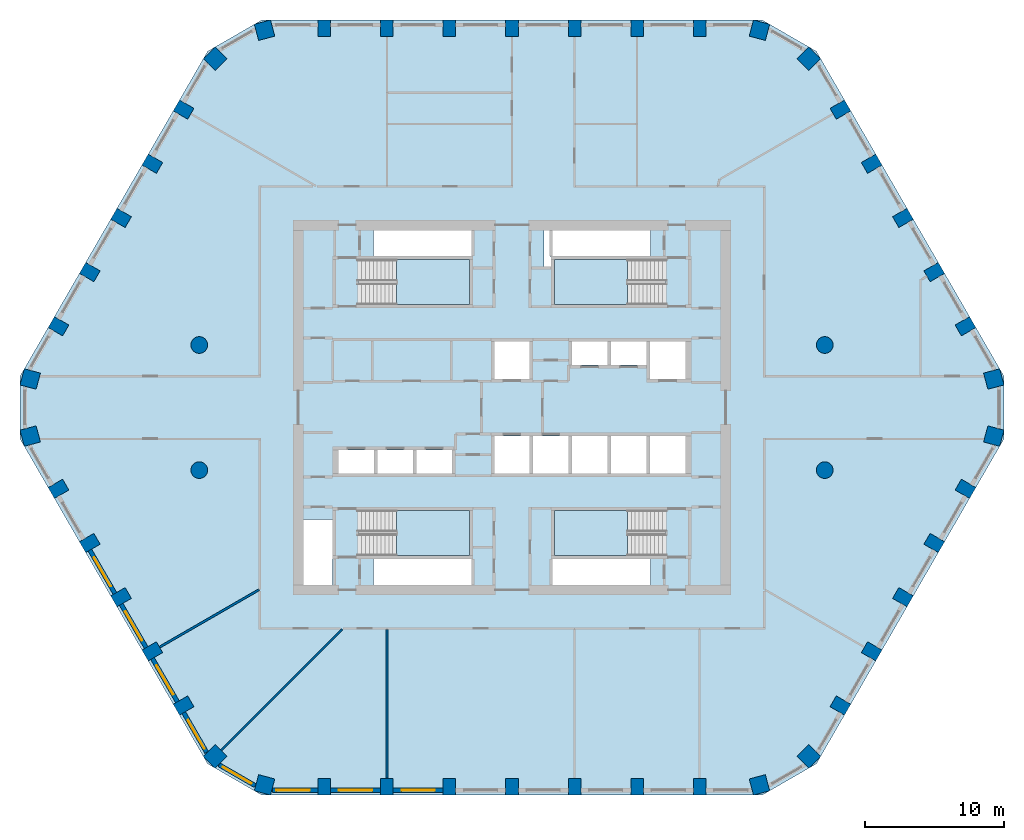
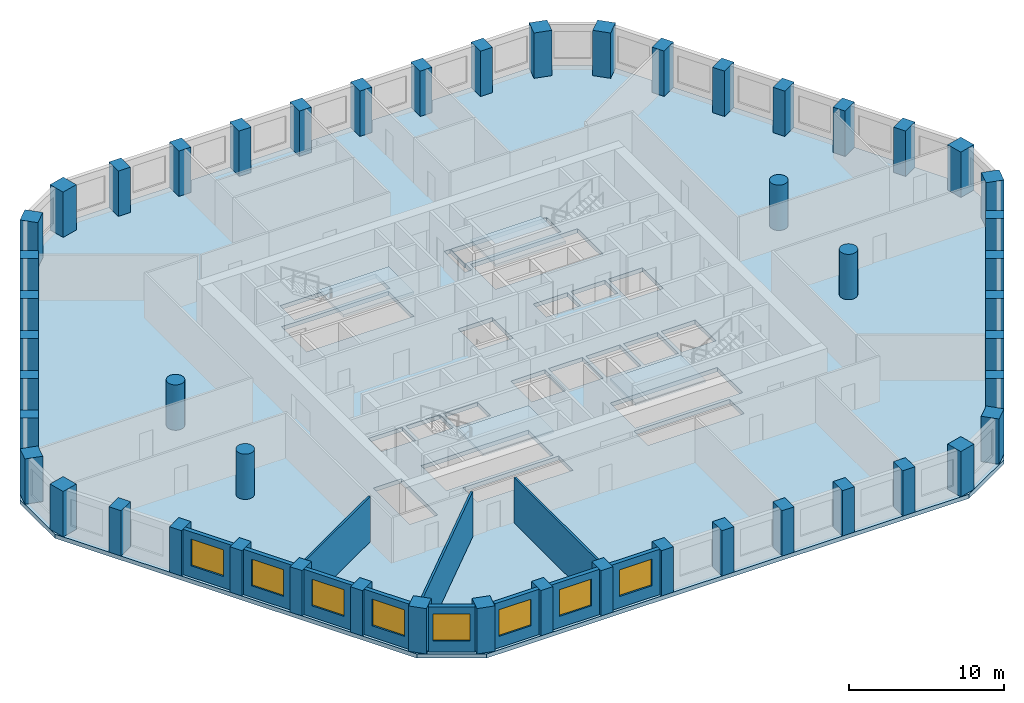
# One storey, part 1 of 9: 50 columns, 11 walls, 8 windows, 5 slabs, 8 openings, 4 elements without a shape of their own.
"""IFC4 building model written with IfcOpenShell, lengths in metres."""

from ifc_helpers import new_model, si_unit, direction, frame, frame_2d, origin, origin_2d, place, context, subcontext, project, spatial, polyline, rectangle, circle, outline, extrude, material, layer, layer_set, material_profile, profile_set, type_object, element, fill, aggregate, save


model = new_model("IFC4")

# Units and contexts
model_context = context("Model", 3, precision=1e-05, world=origin(), true_north=direction((0.0, 1.0)))
body_context = subcontext(model_context, "Body", "Model", "MODEL_VIEW")
ifc_project = project(units=[si_unit("LENGTHUNIT", "METRE"), si_unit("AREAUNIT", "SQUARE_METRE"), si_unit("VOLUMEUNIT", "CUBIC_METRE"), si_unit("PLANEANGLEUNIT", "RADIAN"), si_unit("MASSUNIT", "GRAM", prefix="KILO")], contexts=[model_context])

# Site, building, storey
site_placement = place(None, origin())
site = spatial("IfcSite", under=ifc_project, at=site_placement, CompositionType="ELEMENT")
building_placement = place(site_placement, origin())
building = spatial("IfcBuilding", under=site, at=building_placement, Name="Dhurran Vertical Campus", CompositionType="ELEMENT")
storey_placement = place(building_placement, frame((0.0, 0.0, 159.89990234375)))
storey = spatial("IfcBuildingStorey", under=building, at=storey_placement, Name="L39", CompositionType="ELEMENT", Elevation=159.89990234375)

# Columns
ifc_material_1 = material(Name="Concrete C60/75", Category="concrete")
ifc_material_profile_1 = material_profile(ifc_material_1, rectangle(XDim=1.199951171875, YDim=1.199951171875, at=origin_2d()), Name="RC 1200x1200")
ifc_profile_set_1 = profile_set([ifc_material_profile_1], Name="Concrete C60/75")
column_type_1 = type_object("IfcColumnType", Name="FR COL RC 1200x1200 C60/75", PredefinedType="COLUMN", material=ifc_profile_set_1)
for number, where, z_axis, x_axis, name in (
    (1, (-17.802978515625, -27.147705078125, 0.0), (0.0, 0.0, 1.0), (0.965925826289, -0.258819045103, 0.0), "Perimeter pier PP3.00"),
    (2, (17.802978515625, -27.147705078125, 0.0), (0.0, 0.0, 1.0), (0.965925826289, 0.258819045103, 0.0), "Perimeter pier PP3.08"),
    (3, (21.359130859375, -25.0947265625, 0.0), (0.0, 0.0, 1.0), (0.707106781187, 0.707106781187, 0.0), "Perimeter pier PP3.09"),
    (4, (34.662353515625, -2.052978515625, 0.0), (0.0, 0.0, 1.0), (0.258819045103, 0.965925826289, 0.0), "Perimeter pier PP3.15"),
    (5, (34.662353515625, 2.052978515625, 0.0), (0.0, 0.0, 1.0), (-0.258819045103, 0.965925826289, 0.0), "Perimeter pier PP3.16"),
    (6, (21.359130859375, 25.0947265625, 0.0), (0.0, 0.0, 1.0), (-0.707106781187, 0.707106781187, 0.0), "Perimeter pier PP3.22"),
    (7, (17.802978515625, 27.147705078125, 0.0), (0.0, 0.0, 1.0), (-0.965925826289, 0.258819045103, 0.0), "Perimeter pier PP3.23"),
    (8, (-17.802978515625, 27.147705078125, 0.0), (0.0, 0.0, 1.0), (-0.965925826289, -0.258819045103, 0.0), "Perimeter pier PP3.31"),
    (9, (-21.359130859375, 25.0947265625, 0.0), (0.0, 0.0, 1.0), (-0.707106781187, -0.707106781187, 0.0), "Perimeter pier PP3.32"),
    (10, (-34.662353515625, 2.052978515625, 0.0), (0.0, 0.0, 1.0), (-0.258819045103, -0.965925826289, 0.0), "Perimeter pier PP3.38"),
    (11, (-34.662353515625, -2.052978515625, 0.0), (0.0, 0.0, 1.0), (0.258819045103, -0.965925826289, 0.0), "Perimeter pier PP3.39"),
    (12, (-21.359130859375, -25.0947265625, 0.0), (0.0, 0.0, 1.0), (0.707106781187, -0.707106781187, 0.0), "Perimeter pier PP3.45"),
):
    element("IfcColumn", number, at=place(storey_placement, frame(where, z_axis=z_axis, x_axis=x_axis)), inside=storey, type_object=column_type_1, Name=name, PredefinedType="COLUMN", context=body_context, shape_type="SweptSolid", body=[
        extrude(rectangle(XDim=1.199951171875, YDim=1.199951171875, at=origin_2d()), origin(), (0.0, 0.0, 1.0), 3.5751953125),
    ])
ifc_material_2 = material(Name="Concrete C60/75", Category="concrete")
ifc_material_profile_2 = material_profile(ifc_material_2, rectangle(XDim=0.89990234375, YDim=1.199951171875, at=origin_2d()), Name="RC 900x1200")
ifc_profile_set_2 = profile_set([ifc_material_profile_2], Name="Concrete C60/75")
column_type_2 = type_object("IfcColumnType", Name="FR COL RC 900x1200 C60/75", PredefinedType="COLUMN", material=ifc_profile_set_2)
for number, where, z_axis, x_axis, name in (
    (13, (-13.5, -27.28271484375, 0.0), (0.0, 0.0, 1.0), (1.0, 0.0, 0.0), "Perimeter pier PP3.01"),
    (14, (-9.0, -27.28271484375, 0.0), (0.0, 0.0, 1.0), (1.0, 0.0, 0.0), "Perimeter pier PP3.02"),
    (15, (-4.5, -27.28271484375, 0.0), (0.0, 0.0, 1.0), (1.0, 0.0, 0.0), "Perimeter pier PP3.03"),
    (16, (0.0, -27.28271484375, 0.0), (0.0, 0.0, 1.0), (1.0, 0.0, 0.0), "Perimeter pier PP3.04"),
    (17, (4.5, -27.28271484375, 0.0), (0.0, 0.0, 1.0), (1.0, 0.0, 0.0), "Perimeter pier PP3.05"),
    (18, (9.0, -27.28271484375, 0.0), (0.0, 0.0, 1.0), (1.0, 0.0, 0.0), "Perimeter pier PP3.06"),
    (19, (13.5, -27.28271484375, 0.0), (0.0, 0.0, 1.0), (1.0, 0.0, 0.0), "Perimeter pier PP3.07"),
    (20, (23.62744140625, -21.435546875, 0.0), (0.0, 0.0, 1.0), (0.5, 0.866025403784, 0.0), "Perimeter pier PP3.10"),
    (21, (25.87744140625, -17.53857421875, 0.0), (0.0, 0.0, 1.0), (0.5, 0.866025403784, 0.0), "Perimeter pier PP3.11"),
    (22, (28.12744140625, -13.641357421875, 0.0), (0.0, 0.0, 1.0), (0.5, 0.866025403784, 0.0), "Perimeter pier PP3.12"),
    (23, (30.37744140625, -9.744140625, 0.0), (0.0, 0.0, 1.0), (0.5, 0.866025403784, 0.0), "Perimeter pier PP3.13"),
    (24, (32.62744140625, -5.84716796875, 0.0), (0.0, 0.0, 1.0), (0.5, 0.866025403784, 0.0), "Perimeter pier PP3.14"),
    (25, (32.62744140625, 5.84716796875, 0.0), (0.0, 0.0, 1.0), (-0.5, 0.866025403784, 0.0), "Perimeter pier PP3.17"),
    (26, (30.37744140625, 9.744140625, 0.0), (0.0, 0.0, 1.0), (-0.5, 0.866025403784, 0.0), "Perimeter pier PP3.18"),
    (27, (28.12744140625, 13.641357421875, 0.0), (0.0, 0.0, 1.0), (-0.5, 0.866025403784, 0.0), "Perimeter pier PP3.19"),
    (28, (25.87744140625, 17.53857421875, 0.0), (0.0, 0.0, 1.0), (-0.5, 0.866025403784, 0.0), "Perimeter pier PP3.20"),
    (29, (23.62744140625, 21.435546875, 0.0), (0.0, 0.0, 1.0), (-0.5, 0.866025403784, 0.0), "Perimeter pier PP3.21"),
    (30, (13.5, 27.28271484375, 0.0), (0.0, 0.0, 1.0), (-1.0, 0.0, 0.0), "Perimeter pier PP3.24"),
    (31, (9.0, 27.28271484375, 0.0), (0.0, 0.0, 1.0), (-1.0, 0.0, 0.0), "Perimeter pier PP3.25"),
    (32, (4.5, 27.28271484375, 0.0), (0.0, 0.0, 1.0), (-1.0, 0.0, 0.0), "Perimeter pier PP3.26"),
    (33, (0.0, 27.28271484375, 0.0), (0.0, 0.0, 1.0), (-1.0, 0.0, 0.0), "Perimeter pier PP3.27"),
    (34, (-4.5, 27.28271484375, 0.0), (0.0, 0.0, 1.0), (-1.0, 0.0, 0.0), "Perimeter pier PP3.28"),
    (35, (-9.0, 27.28271484375, 0.0), (0.0, 0.0, 1.0), (-1.0, 0.0, 0.0), "Perimeter pier PP3.29"),
    (36, (-13.5, 27.28271484375, 0.0), (0.0, 0.0, 1.0), (-1.0, 0.0, 0.0), "Perimeter pier PP3.30"),
    (37, (-23.62744140625, 21.435546875, 0.0), (0.0, 0.0, 1.0), (-0.5, -0.866025403784, 0.0), "Perimeter pier PP3.33"),
    (38, (-25.87744140625, 17.53857421875, 0.0), (0.0, 0.0, 1.0), (-0.5, -0.866025403784, 0.0), "Perimeter pier PP3.34"),
    (39, (-28.12744140625, 13.641357421875, 0.0), (0.0, 0.0, 1.0), (-0.5, -0.866025403784, 0.0), "Perimeter pier PP3.35"),
    (40, (-30.37744140625, 9.744140625, 0.0), (0.0, 0.0, 1.0), (-0.5, -0.866025403784, 0.0), "Perimeter pier PP3.36"),
    (41, (-32.62744140625, 5.84716796875, 0.0), (0.0, 0.0, 1.0), (-0.5, -0.866025403784, 0.0), "Perimeter pier PP3.37"),
    (42, (-32.62744140625, -5.84716796875, 0.0), (0.0, 0.0, 1.0), (0.5, -0.866025403784, 0.0), "Perimeter pier PP3.40"),
    (43, (-30.37744140625, -9.744140625, 0.0), (0.0, 0.0, 1.0), (0.5, -0.866025403784, 0.0), "Perimeter pier PP3.41"),
    (44, (-28.12744140625, -13.641357421875, 0.0), (0.0, 0.0, 1.0), (0.5, -0.866025403784, 0.0), "Perimeter pier PP3.42"),
    (45, (-25.87744140625, -17.53857421875, 0.0), (0.0, 0.0, 1.0), (0.5, -0.866025403784, 0.0), "Perimeter pier PP3.43"),
    (46, (-23.62744140625, -21.435546875, 0.0), (0.0, 0.0, 1.0), (0.5, -0.866025403784, 0.0), "Perimeter pier PP3.44"),
):
    element("IfcColumn", number, at=place(storey_placement, frame(where, z_axis=z_axis, x_axis=x_axis)), inside=storey, type_object=column_type_2, Name=name, PredefinedType="COLUMN", context=body_context, shape_type="SweptSolid", body=[
        extrude(rectangle(XDim=0.89990234375, YDim=1.199951171875, at=origin_2d()), origin(), (0.0, 0.0, 1.0), 3.5751953125),
    ])
ifc_material_3 = material(Name="Concrete C60/75", Category="concrete")
ifc_material_profile_3 = material_profile(ifc_material_3, circle(Radius=0.60009765625, at=origin_2d()), Name="RCC D1200")
ifc_profile_set_3 = profile_set([ifc_material_profile_3], Name="Concrete C60/75")
column_type_3 = type_object("IfcColumnType", Name="FR COL RCC D1200 C60/75", PredefinedType="COLUMN", material=ifc_profile_set_3)
for number, where, z_axis, x_axis, name in (
    (47, (-22.5, -4.5, 0.0), (0.0, 0.0, 1.0), (1.0, 0.0, 0.0), "Inner column IC3-D5"),
    (48, (-22.5, 4.5, 0.0), (0.0, 0.0, 1.0), (1.0, 0.0, 0.0), "Inner column IC3-D6"),
    (49, (22.5, -4.5, 0.0), (0.0, 0.0, 1.0), (1.0, 0.0, 0.0), "Inner column IC3-J5"),
    (50, (22.5, 4.5, 0.0), (0.0, 0.0, 1.0), (1.0, 0.0, 0.0), "Inner column IC3-J6"),
):
    element("IfcColumn", number, at=place(storey_placement, frame(where, z_axis=z_axis, x_axis=x_axis)), inside=storey, type_object=column_type_3, Name=name, PredefinedType="COLUMN", context=body_context, shape_type="SweptSolid", body=[
        extrude(circle(Radius=0.60009765625, at=origin_2d()), origin(), (0.0, 0.0, 1.0), 3.5751953125),
    ])

# Slab
ifc_material_4 = material(Name="Concrete C40/50", Category="concrete")
ifc_layer_1 = layer(ifc_material_4, 0.324951171875)
ifc_layer_set_1 = layer_set([ifc_layer_1], Name="Concrete C40/50")
slab_type_1 = type_object("IfcSlabType", Name="FR POST-TENSIONED FLAT SLAB 325", PredefinedType="FLOOR", material=ifc_layer_set_1)
slab_1_placement = place(storey_placement, frame((0.0, 0.0, -0.324951171875)))
element("IfcSlab", 51, at=slab_1_placement, inside=storey, type_object=slab_type_1, Name="Floor slab L39", PredefinedType="FLOOR", context=body_context, shape_type="SweptSolid", body=[
    extrude(outline(polyline([(-18.0, -27.8828125), (18.0, -27.8828125), (21.897216796875, -25.6328125), (35.397216796875, -2.25), (35.397216796875, 2.25), (21.897216796875, 25.6328125), (18.0, 27.8828125), (-18.0, 27.8828125), (-21.897216796875, 25.6328125), (-35.397216796875, 2.25), (-35.397216796875, -2.25), (-21.897216796875, -25.6328125), (-18.0, -27.8828125)]), holes=[polyline([(-1.27490234375, 2.050048828125), (1.27490234375, 2.050048828125), (1.27490234375, 4.75), (-1.27490234375, 4.75), (-1.27490234375, 2.050048828125)]), polyline([(9.925048828125, 2.050048828125), (12.47509765625, 2.050048828125), (12.47509765625, 4.75), (9.925048828125, 4.75), (9.925048828125, 2.050048828125)]), polyline([(-1.27490234375, -4.75), (1.27490234375, -4.75), (1.27490234375, -2.050048828125), (-1.27490234375, -2.050048828125), (-1.27490234375, -4.75)]), polyline([(1.52490234375, -4.75), (4.074951171875, -4.75), (4.074951171875, -2.050048828125), (1.52490234375, -2.050048828125), (1.52490234375, -4.75)]), polyline([(4.324951171875, -4.75), (6.875, -4.75), (6.875, -2.050048828125), (4.324951171875, -2.050048828125), (4.324951171875, -4.75)]), polyline([(7.125, -4.75), (9.675048828125, -4.75), (9.675048828125, -2.050048828125), (7.125, -2.050048828125), (7.125, -4.75)]), polyline([(9.925048828125, -4.75), (12.47509765625, -4.75), (12.47509765625, -2.050048828125), (9.925048828125, -2.050048828125), (9.925048828125, -4.75)]), polyline([(4.324951171875, 3.050048828125), (6.875, 3.050048828125), (6.875, 4.75), (4.324951171875, 4.75), (4.324951171875, 3.050048828125)]), polyline([(7.125, 3.050048828125), (9.675048828125, 3.050048828125), (9.675048828125, 4.75), (7.125, 4.75), (7.125, 3.050048828125)]), polyline([(-12.47509765625, -4.75), (-9.925048828125, -4.75), (-9.925048828125, -3.050048828125), (-12.47509765625, -3.050048828125), (-12.47509765625, -4.75)]), polyline([(-9.675048828125, -4.75), (-7.125, -4.75), (-7.125, -3.050048828125), (-9.675048828125, -3.050048828125), (-9.675048828125, -4.75)]), polyline([(-6.875, -4.75), (-4.324951171875, -4.75), (-4.324951171875, -3.050048828125), (-6.875, -3.050048828125), (-6.875, -4.75)]), polyline([(-11.050048828125, 7.39990234375), (-3.050048828125, 7.39990234375), (-3.050048828125, 10.64990234375), (-11.050048828125, 10.64990234375), (-11.050048828125, 7.39990234375)]), polyline([(3.050048828125, 7.39990234375), (11.050048828125, 7.39990234375), (11.050048828125, 10.64990234375), (3.050048828125, 10.64990234375), (3.050048828125, 7.39990234375)]), polyline([(-11.050048828125, -10.64990234375), (-3.050048828125, -10.64990234375), (-3.050048828125, -7.39990234375), (-11.050048828125, -7.39990234375), (-11.050048828125, -10.64990234375)]), polyline([(3.050048828125, -10.64990234375), (11.050048828125, -10.64990234375), (11.050048828125, -7.39990234375), (3.050048828125, -7.39990234375), (3.050048828125, -10.64990234375)]), polyline([(-9.949951171875, 10.89990234375), (-9.949951171875, 12.75), (-2.800048828125, 12.75), (-2.800048828125, 10.89990234375), (-9.949951171875, 10.89990234375)]), polyline([(9.949951171875, 12.75), (9.949951171875, 10.89990234375), (2.800048828125, 10.89990234375), (2.800048828125, 12.75), (9.949951171875, 12.75)]), polyline([(-9.949951171875, -12.75), (-9.949951171875, -10.89990234375), (-2.800048828125, -10.89990234375), (-2.800048828125, -12.75), (-9.949951171875, -12.75)]), polyline([(9.949951171875, -10.89990234375), (9.949951171875, -12.75), (2.800048828125, -12.75), (2.800048828125, -10.89990234375), (9.949951171875, -10.89990234375)]), polyline([(2.300048828125, 10.050048828125), (2.300048828125, 12.75), (2.75, 12.75), (2.75, 10.85009765625), (2.800048828125, 10.85009765625), (2.800048828125, 10.050048828125), (2.300048828125, 10.050048828125)]), polyline([(-15.0, -8.050048828125), (-12.89990234375, -8.050048828125), (-12.89990234375, -12.75), (-15.0, -12.75), (-15.0, -8.050048828125)])]), origin(), (0.0, 0.0, 1.0), 0.324951171875),
])

# Stair, slab
ifc_material_5 = material(Name="Concrete C40/50", Category="concrete")
stair_type = type_object("IfcStairType", Name="co-ST-CORE", PredefinedType="HALF_TURN_STAIR", material=ifc_material_5)
stair_1_placement = place(storey_placement, origin())
stair_1 = element("IfcStair", 52, at=stair_1_placement, inside=storey, type_object=stair_type, Name="L39 Protected exit stair ST1", PredefinedType="HALF_TURN_STAIR")
ifc_material_6 = material(Name="Concrete C40/50", Category="concrete")
ifc_layer_2 = layer(ifc_material_6, 0.199951171875)
ifc_layer_set_2 = layer_set([ifc_layer_2], Name="Concrete C40/50")
slab_type_2 = type_object("IfcSlabType", Name="co-SL-LANDING", PredefinedType="LANDING", material=ifc_layer_set_2)
slab_2_placement = place(storey_placement, frame((0.0, 0.0, 1.75)))
slab_2 = element("IfcSlab", 53, at=slab_2_placement, type_object=slab_type_2, Name="ST1 landing 1", PredefinedType="LANDING", context=body_context, shape_type="SweptSolid", body=[
    extrude(outline(polyline([(-8.300048828125, 7.39990234375), (-3.050048828125, 7.39990234375), (-3.050048828125, 10.64990234375), (-8.300048828125, 10.64990234375), (-8.300048828125, 7.39990234375)])), origin(), (0.0, 0.0, 1.0), 0.2001953125),
])
aggregate(stair_1, [slab_2])

stair_2_placement = place(storey_placement, origin())
stair_2 = element("IfcStair", 54, at=stair_2_placement, inside=storey, type_object=stair_type, Name="L39 Protected exit stair ST2", PredefinedType="HALF_TURN_STAIR")
slab_3_placement = place(storey_placement, frame((0.0, 0.0, 1.75)))
slab_3 = element("IfcSlab", 55, at=slab_3_placement, type_object=slab_type_2, Name="ST2 landing 1", PredefinedType="LANDING", context=body_context, shape_type="SweptSolid", body=[
    extrude(outline(polyline([(8.300048828125, 10.64990234375), (3.050048828125, 10.64990234375), (3.050048828125, 7.39990234375), (8.300048828125, 7.39990234375), (8.300048828125, 10.64990234375)])), origin(), (0.0, 0.0, 1.0), 0.2001953125),
])
aggregate(stair_2, [slab_3])

stair_3_placement = place(storey_placement, origin())
stair_3 = element("IfcStair", 56, at=stair_3_placement, inside=storey, type_object=stair_type, Name="L39 Protected exit stair ST3", PredefinedType="HALF_TURN_STAIR")
slab_4_placement = place(storey_placement, frame((0.0, 0.0, 1.75)))
slab_4 = element("IfcSlab", 57, at=slab_4_placement, type_object=slab_type_2, Name="ST3 landing 1", PredefinedType="LANDING", context=body_context, shape_type="SweptSolid", body=[
    extrude(outline(polyline([(-8.300048828125, -10.64990234375), (-3.050048828125, -10.64990234375), (-3.050048828125, -7.39990234375), (-8.300048828125, -7.39990234375), (-8.300048828125, -10.64990234375)])), origin(), (0.0, 0.0, 1.0), 0.2001953125),
])
aggregate(stair_3, [slab_4])

stair_4_placement = place(storey_placement, origin())
stair_4 = element("IfcStair", 58, at=stair_4_placement, inside=storey, type_object=stair_type, Name="L39 Protected exit stair ST4", PredefinedType="HALF_TURN_STAIR")
slab_5_placement = place(storey_placement, frame((0.0, 0.0, 1.75)))
slab_5 = element("IfcSlab", 59, at=slab_5_placement, type_object=slab_type_2, Name="ST4 landing 1", PredefinedType="LANDING", context=body_context, shape_type="SweptSolid", body=[
    extrude(outline(polyline([(8.300048828125, -7.39990234375), (3.050048828125, -7.39990234375), (3.050048828125, -10.64990234375), (8.300048828125, -10.64990234375), (8.300048828125, -7.39990234375)])), origin(), (0.0, 0.0, 1.0), 0.2001953125),
])
aggregate(stair_4, [slab_5])

# Wall, opening, window
ifc_material_7 = material(Name="Precast concrete C50/60", Category="concrete")
ifc_layer_3 = layer(ifc_material_7, 0.300048828125)
ifc_layer_set_3 = layer_set([ifc_layer_3], Name="Precast concrete C50/60")
wall_type_1 = type_object("IfcWallType", Name="Precast spandrel wall 300", PredefinedType="SOLIDWALL", material=ifc_layer_set_3)
wall_1_placement = place(storey_placement, frame((-17.24462890625, -27.53271484375, 0.0), z_axis=(0.0, 0.0, 1.0), x_axis=(1.0, 0.0, 0.0)))
wall_1 = element("IfcWall", 60, at=wall_1_placement, inside=storey, type_object=wall_type_1, Name="EW1 L39.00", PredefinedType="SOLIDWALL", context=body_context, shape_type="SweptSolid", body=[
    extrude(rectangle(XDim=3.294189453125, YDim=0.300048828125, at=frame_2d((1.64697265625, 0.0))), origin(), (0.0, 0.0, 1.0), 3.5751953125),
])
opening_1_placement = place(wall_1_placement, frame((0.294677734375, 0.0, 0.89990234375)))
opening_1 = element("IfcOpeningElement", 61, at=opening_1_placement, cuts=wall_1, Name="Opening WT1", PredefinedType="OPENING", context=body_context, shape_type="SweptSolid", body=[
    extrude(rectangle(XDim=2.39990234375, YDim=2.10009765625, at=frame_2d((1.199951171875, 1.050048828125))), frame((0.0, 0.159912109375, 0.0), z_axis=(0.0, -1.0, 0.0), x_axis=(1.0, 0.0, 0.0)), (0.0, 0.0, 1.0), 0.320068359375),
])
ifc_material_8 = material(Name="Aluminium frame with solar-control glass", Category="aluminium")
window_type = type_object("IfcWindowType", Name="Punched window 2400 x 2100", PartitioningType="SINGLE_PANEL", PredefinedType="WINDOW", material=ifc_material_8)
window_1_placement = place(opening_1_placement, origin())
window_1 = element("IfcWindow", 62, at=window_1_placement, inside=storey, type_object=window_type, Name="WT1 L39.00", OverallHeight=2.10009765625, OverallWidth=2.39990234375, PartitioningType="SINGLE_PANEL", PredefinedType="WINDOW", context=body_context, shape_type="SweptSolid", body=[
    extrude(rectangle(XDim=2.39990234375, YDim=2.10009765625, at=frame_2d((1.199951171875, 1.050048828125))), frame((0.0, 0.030029296875, 0.0), z_axis=(0.0, -1.0, 0.0), x_axis=(1.0, 0.0, 0.0)), (0.0, 0.0, 1.0), 0.06005859375),
])
fill(opening_1, window_1)

wall_2_placement = place(storey_placement, frame((-13.049560546875, -27.53271484375, 0.0), z_axis=(0.0, 0.0, 1.0), x_axis=(1.0, 0.0, 0.0)))
wall_2 = element("IfcWall", 63, at=wall_2_placement, inside=storey, type_object=wall_type_1, Name="EW1 L39.01", PredefinedType="SOLIDWALL", context=body_context, shape_type="SweptSolid", body=[
    extrude(rectangle(XDim=3.59912109375, YDim=0.300048828125, at=frame_2d((1.799560546875, 0.0))), origin(), (0.0, 0.0, 1.0), 3.5751953125),
])
opening_2_placement = place(wall_2_placement, frame((0.599609375, 0.0, 0.89990234375)))
opening_2 = element("IfcOpeningElement", 64, at=opening_2_placement, cuts=wall_2, Name="Opening WT1", PredefinedType="OPENING", context=body_context, shape_type="SweptSolid", body=[
    extrude(rectangle(XDim=2.39990234375, YDim=2.10009765625, at=frame_2d((1.199951171875, 1.050048828125))), frame((0.0, 0.159912109375, 0.0), z_axis=(0.0, -1.0, 0.0), x_axis=(1.0, 0.0, 0.0)), (0.0, 0.0, 1.0), 0.320068359375),
])
window_2_placement = place(opening_2_placement, origin())
window_2 = element("IfcWindow", 65, at=window_2_placement, inside=storey, type_object=window_type, Name="WT1 L39.01", OverallHeight=2.10009765625, OverallWidth=2.39990234375, PartitioningType="SINGLE_PANEL", PredefinedType="WINDOW", context=body_context, shape_type="SweptSolid", body=[
    extrude(rectangle(XDim=2.39990234375, YDim=2.10009765625, at=frame_2d((1.199951171875, 1.050048828125))), frame((0.0, 0.030029296875, 0.0), z_axis=(0.0, -1.0, 0.0), x_axis=(1.0, 0.0, 0.0)), (0.0, 0.0, 1.0), 0.06005859375),
])
fill(opening_2, window_2)

wall_3_placement = place(storey_placement, frame((-8.549560546875, -27.53271484375, 0.0), z_axis=(0.0, 0.0, 1.0), x_axis=(1.0, 0.0, 0.0)))
wall_3 = element("IfcWall", 66, at=wall_3_placement, inside=storey, type_object=wall_type_1, Name="EW1 L39.02", PredefinedType="SOLIDWALL", context=body_context, shape_type="SweptSolid", body=[
    extrude(rectangle(XDim=3.59912109375, YDim=0.300048828125, at=frame_2d((1.799560546875, 0.0))), origin(), (0.0, 0.0, 1.0), 3.5751953125),
])
opening_3_placement = place(wall_3_placement, frame((0.599609375, 0.0, 0.89990234375)))
opening_3 = element("IfcOpeningElement", 67, at=opening_3_placement, cuts=wall_3, Name="Opening WT1", PredefinedType="OPENING", context=body_context, shape_type="SweptSolid", body=[
    extrude(rectangle(XDim=2.39990234375, YDim=2.10009765625, at=frame_2d((1.199951171875, 1.050048828125))), frame((0.0, 0.159912109375, 0.0), z_axis=(0.0, -1.0, 0.0), x_axis=(1.0, 0.0, 0.0)), (0.0, 0.0, 1.0), 0.320068359375),
])
window_3_placement = place(opening_3_placement, origin())
window_3 = element("IfcWindow", 68, at=window_3_placement, inside=storey, type_object=window_type, Name="WT1 L39.02", OverallHeight=2.10009765625, OverallWidth=2.39990234375, PartitioningType="SINGLE_PANEL", PredefinedType="WINDOW", context=body_context, shape_type="SweptSolid", body=[
    extrude(rectangle(XDim=2.39990234375, YDim=2.10009765625, at=frame_2d((1.199951171875, 1.050048828125))), frame((0.0, 0.030029296875, 0.0), z_axis=(0.0, -1.0, 0.0), x_axis=(1.0, 0.0, 0.0)), (0.0, 0.0, 1.0), 0.06005859375),
])
fill(opening_3, window_3)

wall_4_placement = place(storey_placement, frame((-30.368896484375, -10.259521484375, 0.0), z_axis=(0.0, 0.0, 1.0), x_axis=(0.500027802648, -0.866009351323, 0.0)))
wall_4 = element("IfcWall", 69, at=wall_4_placement, inside=storey, type_object=wall_type_1, Name="EW1 L39.41", PredefinedType="SOLIDWALL", context=body_context, shape_type="SweptSolid", body=[
    extrude(rectangle(XDim=3.598876953125, YDim=0.300048828125, at=frame_2d((1.79931640625, 0.0))), origin(), (0.0, 0.0, 1.0), 3.5751953125),
])
opening_4_placement = place(wall_4_placement, frame((0.599609375, 0.0, 0.89990234375)))
opening_4 = element("IfcOpeningElement", 70, at=opening_4_placement, cuts=wall_4, Name="Opening WT1", PredefinedType="OPENING", context=body_context, shape_type="SweptSolid", body=[
    extrude(rectangle(XDim=2.39990234375, YDim=2.10009765625, at=frame_2d((1.199951171875, 1.050048828125))), frame((0.0, 0.159912109375, 0.0), z_axis=(0.0, -1.0, 0.0), x_axis=(1.0, 0.0, 0.0)), (0.0, 0.0, 1.0), 0.320068359375),
])
window_4_placement = place(opening_4_placement, origin())
window_4 = element("IfcWindow", 71, at=window_4_placement, inside=storey, type_object=window_type, Name="WT1 L39.41", OverallHeight=2.10009765625, OverallWidth=2.39990234375, PartitioningType="SINGLE_PANEL", PredefinedType="WINDOW", context=body_context, shape_type="SweptSolid", body=[
    extrude(rectangle(XDim=2.39990234375, YDim=2.10009765625, at=frame_2d((1.199951171875, 1.050048828125))), frame((0.0, 0.030029296875, 0.0), z_axis=(0.0, -1.0, 0.0), x_axis=(1.0, 0.0, 0.0)), (0.0, 0.0, 1.0), 0.06005859375),
])
fill(opening_4, window_4)

wall_5_placement = place(storey_placement, frame((-28.118896484375, -14.156494140625, 0.0), z_axis=(0.0, 0.0, 1.0), x_axis=(0.500027802648, -0.866009351323, 0.0)))
wall_5 = element("IfcWall", 72, at=wall_5_placement, inside=storey, type_object=wall_type_1, Name="EW1 L39.42", PredefinedType="SOLIDWALL", context=body_context, shape_type="SweptSolid", body=[
    extrude(rectangle(XDim=3.598876953125, YDim=0.300048828125, at=frame_2d((1.79931640625, 0.0))), origin(), (0.0, 0.0, 1.0), 3.5751953125),
])
opening_5_placement = place(wall_5_placement, frame((0.599609375, 0.0, 0.89990234375)))
opening_5 = element("IfcOpeningElement", 73, at=opening_5_placement, cuts=wall_5, Name="Opening WT1", PredefinedType="OPENING", context=body_context, shape_type="SweptSolid", body=[
    extrude(rectangle(XDim=2.39990234375, YDim=2.10009765625, at=frame_2d((1.199951171875, 1.050048828125))), frame((0.0, 0.159912109375, 0.0), z_axis=(0.0, -1.0, 0.0), x_axis=(1.0, 0.0, 0.0)), (0.0, 0.0, 1.0), 0.320068359375),
])
window_5_placement = place(opening_5_placement, origin())
window_5 = element("IfcWindow", 74, at=window_5_placement, inside=storey, type_object=window_type, Name="WT1 L39.42", OverallHeight=2.10009765625, OverallWidth=2.39990234375, PartitioningType="SINGLE_PANEL", PredefinedType="WINDOW", context=body_context, shape_type="SweptSolid", body=[
    extrude(rectangle(XDim=2.39990234375, YDim=2.10009765625, at=frame_2d((1.199951171875, 1.050048828125))), frame((0.0, 0.030029296875, 0.0), z_axis=(0.0, -1.0, 0.0), x_axis=(1.0, 0.0, 0.0)), (0.0, 0.0, 1.0), 0.06005859375),
])
fill(opening_5, window_5)

wall_6_placement = place(storey_placement, frame((-25.868896484375, -18.0537109375, 0.0), z_axis=(0.0, 0.0, 1.0), x_axis=(0.500027802648, -0.866009351323, 0.0)))
wall_6 = element("IfcWall", 75, at=wall_6_placement, inside=storey, type_object=wall_type_1, Name="EW1 L39.43", PredefinedType="SOLIDWALL", context=body_context, shape_type="SweptSolid", body=[
    extrude(rectangle(XDim=3.598876953125, YDim=0.300048828125, at=frame_2d((1.79931640625, 0.0))), origin(), (0.0, 0.0, 1.0), 3.5751953125),
])
opening_6_placement = place(wall_6_placement, frame((0.599609375, 0.0, 0.89990234375)))
opening_6 = element("IfcOpeningElement", 76, at=opening_6_placement, cuts=wall_6, Name="Opening WT1", PredefinedType="OPENING", context=body_context, shape_type="SweptSolid", body=[
    extrude(rectangle(XDim=2.39990234375, YDim=2.10009765625, at=frame_2d((1.199951171875, 1.050048828125))), frame((0.0, 0.159912109375, 0.0), z_axis=(0.0, -1.0, 0.0), x_axis=(1.0, 0.0, 0.0)), (0.0, 0.0, 1.0), 0.320068359375),
])
window_6_placement = place(opening_6_placement, origin())
window_6 = element("IfcWindow", 77, at=window_6_placement, inside=storey, type_object=window_type, Name="WT1 L39.43", OverallHeight=2.10009765625, OverallWidth=2.39990234375, PartitioningType="SINGLE_PANEL", PredefinedType="WINDOW", context=body_context, shape_type="SweptSolid", body=[
    extrude(rectangle(XDim=2.39990234375, YDim=2.10009765625, at=frame_2d((1.199951171875, 1.050048828125))), frame((0.0, 0.030029296875, 0.0), z_axis=(0.0, -1.0, 0.0), x_axis=(1.0, 0.0, 0.0)), (0.0, 0.0, 1.0), 0.06005859375),
])
fill(opening_6, window_6)

wall_7_placement = place(storey_placement, frame((-23.618896484375, -21.95068359375, 0.0), z_axis=(0.0, 0.0, 1.0), x_axis=(0.500036802197, -0.866004154983, 0.0)))
wall_7 = element("IfcWall", 78, at=wall_7_placement, inside=storey, type_object=wall_type_1, Name="EW1 L39.44", PredefinedType="SOLIDWALL", context=body_context, shape_type="SweptSolid", body=[
    extrude(rectangle(XDim=3.294189453125, YDim=0.300048828125, at=frame_2d((1.64697265625, 0.0))), origin(), (0.0, 0.0, 1.0), 3.5751953125),
])
opening_7_placement = place(wall_7_placement, frame((0.599609375, 0.0, 0.89990234375)))
opening_7 = element("IfcOpeningElement", 79, at=opening_7_placement, cuts=wall_7, Name="Opening WT1", PredefinedType="OPENING", context=body_context, shape_type="SweptSolid", body=[
    extrude(rectangle(XDim=2.39990234375, YDim=2.10009765625, at=frame_2d((1.199951171875, 1.050048828125))), frame((0.0, 0.159912109375, 0.0), z_axis=(0.0, -1.0, 0.0), x_axis=(1.0, 0.0, 0.0)), (0.0, 0.0, 1.0), 0.320068359375),
])
window_7_placement = place(opening_7_placement, origin())
window_7 = element("IfcWindow", 80, at=window_7_placement, inside=storey, type_object=window_type, Name="WT1 L39.44", OverallHeight=2.10009765625, OverallWidth=2.39990234375, PartitioningType="SINGLE_PANEL", PredefinedType="WINDOW", context=body_context, shape_type="SweptSolid", body=[
    extrude(rectangle(XDim=2.39990234375, YDim=2.10009765625, at=frame_2d((1.199951171875, 1.050048828125))), frame((0.0, 0.030029296875, 0.0), z_axis=(0.0, -1.0, 0.0), x_axis=(1.0, 0.0, 0.0)), (0.0, 0.0, 1.0), 0.06005859375),
])
fill(opening_7, window_7)

wall_8_placement = place(storey_placement, frame((-21.06787109375, -25.707275390625, 0.0), z_axis=(0.0, 0.0, 1.0), x_axis=(0.866012844897, -0.500021752, 0.0)))
wall_8 = element("IfcWall", 81, at=wall_8_placement, inside=storey, type_object=wall_type_1, Name="EW1 L39.45", PredefinedType="SOLIDWALL", context=body_context, shape_type="SweptSolid", body=[
    extrude(rectangle(XDim=2.989013671875, YDim=0.300048828125, at=frame_2d((1.49462890625, 0.0))), origin(), (0.0, 0.0, 1.0), 3.5751953125),
])
opening_8_placement = place(wall_8_placement, frame((0.294677734375, 0.0, 0.89990234375)))
opening_8 = element("IfcOpeningElement", 82, at=opening_8_placement, cuts=wall_8, Name="Opening WT1", PredefinedType="OPENING", context=body_context, shape_type="SweptSolid", body=[
    extrude(rectangle(XDim=2.39990234375, YDim=2.10009765625, at=frame_2d((1.199951171875, 1.050048828125))), frame((0.0, 0.159912109375, 0.0), z_axis=(0.0, -1.0, 0.0), x_axis=(1.0, 0.0, 0.0)), (0.0, 0.0, 1.0), 0.320068359375),
])
window_8_placement = place(opening_8_placement, origin())
window_8 = element("IfcWindow", 83, at=window_8_placement, inside=storey, type_object=window_type, Name="WT1 L39.45", OverallHeight=2.10009765625, OverallWidth=2.39990234375, PartitioningType="SINGLE_PANEL", PredefinedType="WINDOW", context=body_context, shape_type="SweptSolid", body=[
    extrude(rectangle(XDim=2.39990234375, YDim=2.10009765625, at=frame_2d((1.199951171875, 1.050048828125))), frame((0.0, 0.030029296875, 0.0), z_axis=(0.0, -1.0, 0.0), x_axis=(1.0, 0.0, 0.0)), (0.0, 0.0, 1.0), 0.06005859375),
])
fill(opening_8, window_8)

# Walls
ifc_material_9 = material(Name="Folding acoustic partition panels")
ifc_layer_4 = layer(ifc_material_9, 0.14990234375)
ifc_layer_set_4 = layer_set([ifc_layer_4], Name="Folding acoustic partition panels")
wall_type_2 = type_object("IfcWallType", Name="fl-MW-150 movable partition", PredefinedType="MOVABLE", material=ifc_layer_set_4)
wall_9_placement = place(storey_placement, frame((-18.215087890625, -13.114501953125, 0.0), z_axis=(0.0, 0.0, 1.0), x_axis=(-0.866039823271, -0.499975023885, 0.0)))
element("IfcWall", 84, at=wall_9_placement, inside=storey, type_object=wall_type_2, Name="Partition 39-03", PredefinedType="MOVABLE", context=body_context, shape_type="SweptSolid", body=[
    extrude(rectangle(XDim=8.22802734375, YDim=0.14990234375, at=frame_2d((4.114013671875, 0.0))), origin(), (0.0, 0.0, 1.0), 3.5751953125),
])
wall_10_placement = place(storey_placement, frame((-12.217041015625, -15.952880859375, 0.0), z_axis=(0.0, 0.0, 1.0), x_axis=(-0.707096863632, -0.707116698602, 0.0)))
element("IfcWall", 85, at=wall_10_placement, inside=storey, type_object=wall_type_2, Name="Partition 39-05", PredefinedType="MOVABLE", context=body_context, shape_type="SweptSolid", body=[
    extrude(rectangle(XDim=12.30859375, YDim=0.14990234375, at=frame_2d((6.154296875, 0.0))), origin(), (0.0, 0.0, 1.0), 3.5751953125),
])
wall_11_placement = place(storey_placement, frame((-9.0, -15.97509765625, 0.0), z_axis=(0.0, 0.0, 1.0), x_axis=(0.0, -1.0, 0.0)))
element("IfcWall", 86, at=wall_11_placement, inside=storey, type_object=wall_type_2, Name="Partition 39-13", PredefinedType="MOVABLE", context=body_context, shape_type="SweptSolid", body=[
    extrude(rectangle(XDim=10.6875, YDim=0.14990234375, at=frame_2d((5.34375, 0.0))), origin(), (0.0, 0.0, 1.0), 3.5751953125),
])

save(model, "model.ifc")
